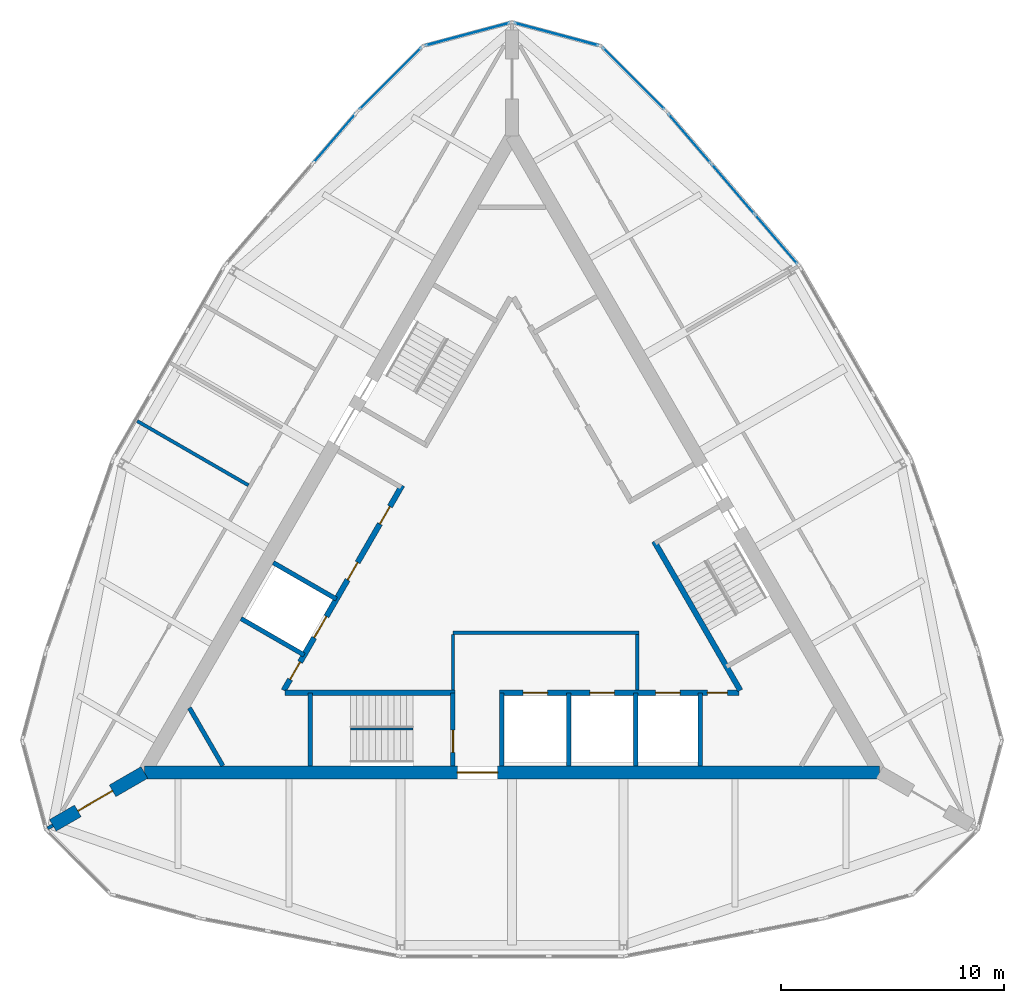
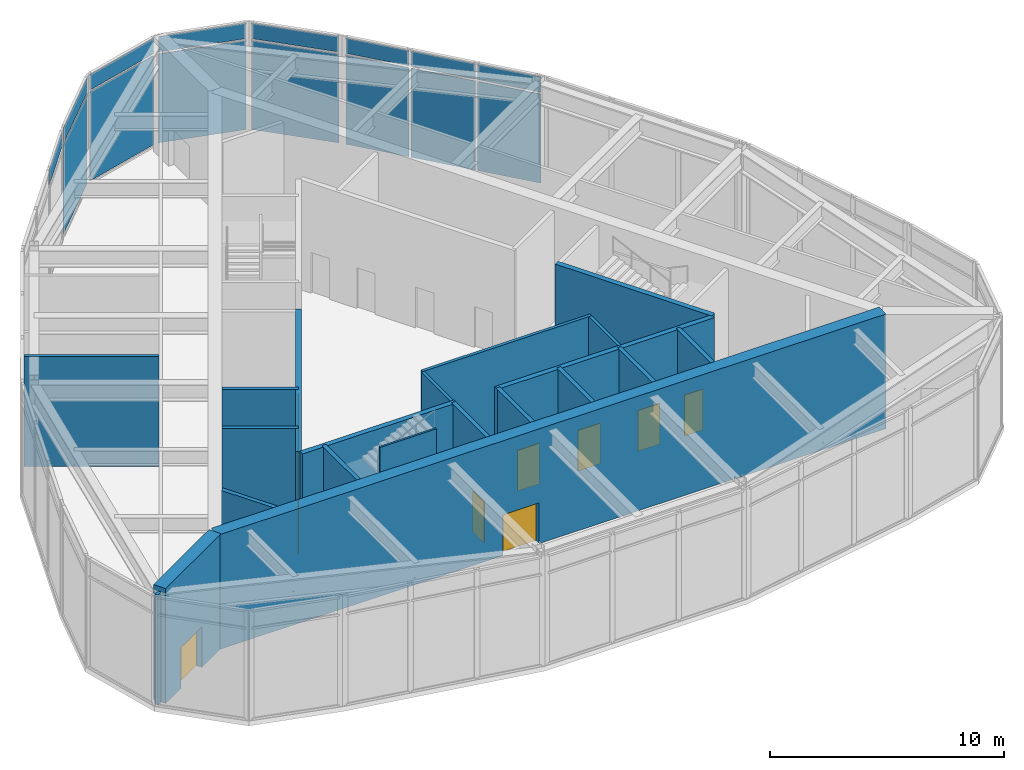
# One storey, part 6 of 9: 21 walls, 15 plates, 11 doors, 11 openings, 6 elements without a shape of their own.
"""IFC4 building model written with IfcOpenShell, lengths in metres."""

from ifc_helpers import new_model, si_unit, direction, frame, frame_2d, origin, origin_2d, place, context, subcontext, project, spatial, rectangle, extrude, material, layer, layer_set, type_object, element, fill, aggregate, save


model = new_model("IFC4")

# Units and contexts
model_context = context("Model", 3, precision=1e-05, world=origin(), true_north=direction((0.0, 1.0)))
body_context = subcontext(model_context, "Body", "Model", "MODEL_VIEW")
ifc_project = project(units=[si_unit("LENGTHUNIT", "METRE"), si_unit("AREAUNIT", "SQUARE_METRE"), si_unit("VOLUMEUNIT", "CUBIC_METRE"), si_unit("PLANEANGLEUNIT", "RADIAN"), si_unit("MASSUNIT", "GRAM", prefix="KILO")], contexts=[model_context])

# Site, building, storey
site_placement = place(None, origin())
site = spatial("IfcSite", under=ifc_project, at=site_placement, CompositionType="ELEMENT")
building_placement = place(site_placement, origin())
building = spatial("IfcBuilding", under=site, at=building_placement, Name="Trikona Tower", CompositionType="ELEMENT")
storey_placement = place(building_placement, frame((0.0, 0.0, 286.800048828125)))
storey = spatial("IfcBuildingStorey", under=building, at=storey_placement, Name="L75", CompositionType="ELEMENT", Elevation=286.800048828125)

# Curtain wall, plates
ifc_material_1 = material(Name="Aluminium curtain wall system", Category="aluminium")
curtain_wall_type = type_object("IfcCurtainWallType", Name="Curtain wall OB", PredefinedType="NOTDEFINED", material=ifc_material_1)
curtain_wall_1_placement = place(storey_placement, origin())
curtain_wall_1 = element("IfcCurtainWall", 1, at=curtain_wall_1_placement, inside=storey, type_object=curtain_wall_type, Name="Curtain wall OB L75", PredefinedType="NOTDEFINED")
ifc_material_2 = material(Name="Clear insulating glass unit", Category="glass")
ifc_layer_1 = layer(ifc_material_2, 0.028076171875)
ifc_layer_set_1 = layer_set([ifc_layer_1], Name="Glass panel OB")
plate_type = type_object("IfcPlateType", Name="Glass panel OB", PredefinedType="CURTAIN_PANEL", material=ifc_layer_set_1)
plate_1_placement = place(storey_placement, frame((11.865966796875, 14.408447265625, 0.10009765625), z_axis=(0.0, 0.0, 1.0), x_axis=(-0.652863914707, 0.757475219973, 0.0)))
plate_1 = element("IfcPlate", 2, at=plate_1_placement, type_object=plate_type, Name="CW-OB panel 1.1", PredefinedType="CURTAIN_PANEL", context=body_context, shape_type="SweptSolid", body=[
    extrude(rectangle(XDim=2.86376953125, YDim=0.028076171875, at=origin_2d()), origin(), (0.0, 0.0, 1.0), 4.64990234375),
])
plate_2_placement = place(storey_placement, frame((11.865966796875, 14.408447265625, 4.85009765625), z_axis=(0.0, 0.0, 1.0), x_axis=(-0.652863914707, 0.757475219973, 0.0)))
plate_2 = element("IfcPlate", 3, at=plate_2_placement, type_object=plate_type, Name="CW-OB panel 1.2", PredefinedType="CURTAIN_PANEL", context=body_context, shape_type="SweptSolid", body=[
    extrude(rectangle(XDim=2.86376953125, YDim=0.028076171875, at=origin_2d()), origin(), (0.0, 0.0, 1.0), 0.800048828125),
])
plate_3_placement = place(storey_placement, frame((9.914794921875, 16.67236328125, 0.10009765625), z_axis=(0.0, 0.0, 1.0), x_axis=(-0.652863914707, 0.757475219973, 0.0)))
plate_3 = element("IfcPlate", 4, at=plate_3_placement, type_object=plate_type, Name="CW-OB panel 2.1", PredefinedType="CURTAIN_PANEL", context=body_context, shape_type="SweptSolid", body=[
    extrude(rectangle(XDim=2.91357421875, YDim=0.028076171875, at=origin_2d()), origin(), (0.0, 0.0, 1.0), 4.64990234375),
])
plate_4_placement = place(storey_placement, frame((9.914794921875, 16.67236328125, 4.85009765625), z_axis=(0.0, 0.0, 1.0), x_axis=(-0.652863914707, 0.757475219973, 0.0)))
plate_4 = element("IfcPlate", 5, at=plate_4_placement, type_object=plate_type, Name="CW-OB panel 2.2", PredefinedType="CURTAIN_PANEL", context=body_context, shape_type="SweptSolid", body=[
    extrude(rectangle(XDim=2.91357421875, YDim=0.028076171875, at=origin_2d()), origin(), (0.0, 0.0, 1.0), 0.800048828125),
])
plate_5_placement = place(storey_placement, frame((7.96337890625, 18.936279296875, 0.10009765625), z_axis=(0.0, 0.0, 1.0), x_axis=(-0.652863914707, 0.757475219973, 0.0)))
plate_5 = element("IfcPlate", 6, at=plate_5_placement, type_object=plate_type, Name="CW-OB panel 3.1", PredefinedType="CURTAIN_PANEL", context=body_context, shape_type="SweptSolid", body=[
    extrude(rectangle(XDim=2.86376953125, YDim=0.028076171875, at=origin_2d()), origin(), (0.0, 0.0, 1.0), 4.64990234375),
])
plate_6_placement = place(storey_placement, frame((7.96337890625, 18.936279296875, 4.85009765625), z_axis=(0.0, 0.0, 1.0), x_axis=(-0.652863914707, 0.757475219973, 0.0)))
plate_6 = element("IfcPlate", 7, at=plate_6_placement, type_object=plate_type, Name="CW-OB panel 3.2", PredefinedType="CURTAIN_PANEL", context=body_context, shape_type="SweptSolid", body=[
    extrude(rectangle(XDim=2.86376953125, YDim=0.028076171875, at=origin_2d()), origin(), (0.0, 0.0, 1.0), 0.800048828125),
])
aggregate(curtain_wall_1, [plate_1, plate_2, plate_3, plate_4, plate_5, plate_6])

curtain_wall_2_placement = place(storey_placement, origin())
curtain_wall_2 = element("IfcCurtainWall", 8, at=curtain_wall_2_placement, inside=storey, type_object=curtain_wall_type, Name="Curtain wall OB L75", PredefinedType="NOTDEFINED")
plate_7_placement = place(storey_placement, frame((5.449951171875, 21.615966796875, 0.10009765625), z_axis=(0.0, 0.0, 1.0), x_axis=(-0.707106781187, 0.707106781187, 0.0)))
plate_7 = element("IfcPlate", 9, at=plate_7_placement, type_object=plate_type, Name="CW-OB panel 1.1", PredefinedType="CURTAIN_PANEL", context=body_context, shape_type="SweptSolid", body=[
    extrude(rectangle(XDim=3.864013671875, YDim=0.028076171875, at=origin_2d()), origin(), (0.0, 0.0, 1.0), 4.64990234375),
])
plate_8_placement = place(storey_placement, frame((5.449951171875, 21.615966796875, 4.85009765625), z_axis=(0.0, 0.0, 1.0), x_axis=(-0.707106781187, 0.707106781187, 0.0)))
plate_8 = element("IfcPlate", 10, at=plate_8_placement, type_object=plate_type, Name="CW-OB panel 1.2", PredefinedType="CURTAIN_PANEL", context=body_context, shape_type="SweptSolid", body=[
    extrude(rectangle(XDim=3.864013671875, YDim=0.028076171875, at=origin_2d()), origin(), (0.0, 0.0, 1.0), 0.800048828125),
])
aggregate(curtain_wall_2, [plate_7, plate_8])

curtain_wall_3_placement = place(storey_placement, origin())
curtain_wall_3 = element("IfcCurtainWall", 11, at=curtain_wall_3_placement, inside=storey, type_object=curtain_wall_type, Name="Curtain wall OB L75", PredefinedType="NOTDEFINED")
plate_9_placement = place(storey_placement, frame((1.994873046875, 23.610595703125, 0.10009765625), z_axis=(0.0, 0.0, 1.0), x_axis=(-0.965923448705, 0.258827918204, 0.0)))
plate_9 = element("IfcPlate", 12, at=plate_9_placement, type_object=plate_type, Name="CW-OB panel 1.1", PredefinedType="CURTAIN_PANEL", context=body_context, shape_type="SweptSolid", body=[
    extrude(rectangle(XDim=3.864013671875, YDim=0.028076171875, at=origin_2d()), origin(), (0.0, 0.0, 1.0), 4.64990234375),
])
plate_10_placement = place(storey_placement, frame((1.994873046875, 23.610595703125, 4.85009765625), z_axis=(0.0, 0.0, 1.0), x_axis=(-0.965923448705, 0.258827918204, 0.0)))
plate_10 = element("IfcPlate", 13, at=plate_10_placement, type_object=plate_type, Name="CW-OB panel 1.2", PredefinedType="CURTAIN_PANEL", context=body_context, shape_type="SweptSolid", body=[
    extrude(rectangle(XDim=3.864013671875, YDim=0.028076171875, at=origin_2d()), origin(), (0.0, 0.0, 1.0), 0.800048828125),
])
aggregate(curtain_wall_3, [plate_9, plate_10])

curtain_wall_4_placement = place(storey_placement, origin())
curtain_wall_4 = element("IfcCurtainWall", 14, at=curtain_wall_4_placement, inside=storey, type_object=curtain_wall_type, Name="Curtain wall OB L75", PredefinedType="NOTDEFINED")
plate_11_placement = place(storey_placement, frame((-1.994873046875, 23.610595703125, 0.10009765625), z_axis=(0.0, 0.0, 1.0), x_axis=(-0.965923448705, -0.258827918204, 0.0)))
plate_11 = element("IfcPlate", 15, at=plate_11_placement, type_object=plate_type, Name="CW-OB panel 1.1", PredefinedType="CURTAIN_PANEL", context=body_context, shape_type="SweptSolid", body=[
    extrude(rectangle(XDim=3.864013671875, YDim=0.028076171875, at=origin_2d()), origin(), (0.0, 0.0, 1.0), 4.64990234375),
])
plate_12_placement = place(storey_placement, frame((-1.994873046875, 23.610595703125, 4.85009765625), z_axis=(0.0, 0.0, 1.0), x_axis=(-0.965923448705, -0.258827918204, 0.0)))
plate_12 = element("IfcPlate", 16, at=plate_12_placement, type_object=plate_type, Name="CW-OB panel 1.2", PredefinedType="CURTAIN_PANEL", context=body_context, shape_type="SweptSolid", body=[
    extrude(rectangle(XDim=3.864013671875, YDim=0.028076171875, at=origin_2d()), origin(), (0.0, 0.0, 1.0), 0.800048828125),
])
aggregate(curtain_wall_4, [plate_11, plate_12])

curtain_wall_5_placement = place(storey_placement, origin())
curtain_wall_5 = element("IfcCurtainWall", 17, at=curtain_wall_5_placement, inside=storey, type_object=curtain_wall_type, Name="Curtain wall OB L75", PredefinedType="NOTDEFINED")
plate_13_placement = place(storey_placement, frame((-5.449951171875, 21.615966796875, 0.10009765625), z_axis=(0.0, 0.0, 1.0), x_axis=(-0.707106781187, -0.707106781187, 0.0)))
plate_13 = element("IfcPlate", 18, at=plate_13_placement, type_object=plate_type, Name="CW-OB panel 1.1", PredefinedType="CURTAIN_PANEL", context=body_context, shape_type="SweptSolid", body=[
    extrude(rectangle(XDim=3.864013671875, YDim=0.028076171875, at=origin_2d()), origin(), (0.0, 0.0, 1.0), 4.64990234375),
])
plate_14_placement = place(storey_placement, frame((-5.449951171875, 21.615966796875, 4.85009765625), z_axis=(0.0, 0.0, 1.0), x_axis=(-0.707106781187, -0.707106781187, 0.0)))
plate_14 = element("IfcPlate", 19, at=plate_14_placement, type_object=plate_type, Name="CW-OB panel 1.2", PredefinedType="CURTAIN_PANEL", context=body_context, shape_type="SweptSolid", body=[
    extrude(rectangle(XDim=3.864013671875, YDim=0.028076171875, at=origin_2d()), origin(), (0.0, 0.0, 1.0), 0.800048828125),
])
aggregate(curtain_wall_5, [plate_13, plate_14])

# Curtain wall, plate
curtain_wall_6_placement = place(storey_placement, origin())
curtain_wall_6 = element("IfcCurtainWall", 20, at=curtain_wall_6_placement, inside=storey, type_object=curtain_wall_type, Name="Curtain wall OB L75", PredefinedType="NOTDEFINED")
plate_15_placement = place(storey_placement, frame((-7.96337890625, 18.936279296875, 4.85009765625), z_axis=(0.0, 0.0, 1.0), x_axis=(-0.652863914707, -0.757475219973, 0.0)))
plate_15 = element("IfcPlate", 21, at=plate_15_placement, type_object=plate_type, Name="CW-OB panel 1.2", PredefinedType="CURTAIN_PANEL", context=body_context, shape_type="SweptSolid", body=[
    extrude(rectangle(XDim=2.86376953125, YDim=0.028076171875, at=origin_2d()), origin(), (0.0, 0.0, 1.0), 0.800048828125),
])
aggregate(curtain_wall_6, [plate_15])

# Wall, opening, door
ifc_material_3 = material(Name="Concrete f'c 10000 psi", Category="concrete")
ifc_layer_2 = layer(ifc_material_3, 0.60009765625)
ifc_layer_set_2 = layer_set([ifc_layer_2], Name="Buttress wall 600")
wall_type_1 = type_object("IfcWallType", Name="Buttress wall 600", PredefinedType="SHEAR", material=ifc_layer_set_2)
wall_1_placement = place(storey_placement, frame((-16.5, -9.5263671875, 0.0), z_axis=(0.0, 0.0, 1.0), x_axis=(-0.866031398331, -0.499989616998, 0.0)))
wall_1 = element("IfcWall", 22, at=wall_1_placement, inside=storey, type_object=wall_type_1, Name="Buttress wall 3", PredefinedType="SHEAR", context=body_context, shape_type="SweptSolid", body=[
    extrude(rectangle(XDim=4.74609375, YDim=0.60009765625, at=frame_2d((2.373046875, 0.0))), origin(), (0.0, 0.0, 1.0), 6.0),
])
opening_1_placement = place(wall_1_placement, frame((1.64990234375, 0.0, 0.0)))
opening_1 = element("IfcOpeningElement", 23, at=opening_1_placement, cuts=wall_1, Name="Opening D10", PredefinedType="OPENING", context=body_context, shape_type="SweptSolid", body=[
    extrude(rectangle(XDim=1.800048828125, YDim=2.1298828125, at=frame_2d((0.89990234375, 1.06494140625))), frame((0.0, 0.31005859375, 0.0), z_axis=(0.0, -1.0, 0.0), x_axis=(1.0, 0.0, 0.0)), (0.0, 0.0, 1.0), 0.6201171875),
])
ifc_material_4 = material(Name="Hollow metal door and frame", Category="steel")
door_type_1 = type_object("IfcDoorType", Name="Cross-corridor door pair 1800x2130", OperationType="DOUBLE_DOOR_DOUBLE_SWING", PredefinedType="DOOR", material=ifc_material_4)
door_1_placement = place(opening_1_placement, origin())
door_1 = element("IfcDoor", 24, at=door_1_placement, inside=storey, type_object=door_type_1, Name="Cross-corridor door 3", OperationType="DOUBLE_DOOR_DOUBLE_SWING", OverallHeight=2.1298828125, OverallWidth=1.800048828125, PredefinedType="DOOR", context=body_context, shape_type="SweptSolid", body=[
    extrude(rectangle(XDim=1.800048828125, YDim=2.1298828125, at=frame_2d((0.89990234375, 1.06494140625))), frame((0.0, 0.02490234375, 0.0), z_axis=(0.0, -1.0, 0.0), x_axis=(1.0, 0.0, 0.0)), (0.0, 0.0, 1.0), 0.050048828125),
])
fill(opening_1, door_1)

ifc_material_5 = material(Name="Concrete f'c 10000 psi", Category="concrete")
ifc_layer_3 = layer(ifc_material_5, 0.60009765625)
ifc_layer_set_3 = layer_set([ifc_layer_3], Name="Core wall 600")
wall_type_2 = type_object("IfcWallType", Name="Core wall 600", PredefinedType="SHEAR", material=ifc_layer_set_3)
wall_2_placement = place(storey_placement, frame((-16.5, -9.5263671875, 0.0), z_axis=(0.0, 0.0, 1.0), x_axis=(1.0, 0.0, 0.0)))
wall_2 = element("IfcWall", 25, at=wall_2_placement, inside=storey, type_object=wall_type_2, Name="Core wall A", PredefinedType="SHEAR", context=body_context, shape_type="SweptSolid", body=[
    extrude(rectangle(XDim=33.0, YDim=0.60009765625, at=frame_2d((16.5, 0.0))), origin(), (0.0, 0.0, 1.0), 6.0),
])
opening_2_placement = place(wall_2_placement, frame((14.050048828125, 0.0, 0.0)))
opening_2 = element("IfcOpeningElement", 26, at=opening_2_placement, cuts=wall_2, Name="Opening D6", PredefinedType="OPENING", context=body_context, shape_type="SweptSolid", body=[
    extrude(rectangle(XDim=1.800048828125, YDim=2.1298828125, at=frame_2d((0.89990234375, 1.06494140625))), frame((0.0, 0.31005859375, 0.0), z_axis=(0.0, -1.0, 0.0), x_axis=(1.0, 0.0, 0.0)), (0.0, 0.0, 1.0), 0.6201171875),
])
ifc_material_6 = material(Name="Hollow metal door and frame", Category="steel")
door_type_2 = type_object("IfcDoorType", Name="Lobby door pair 1800x2130", OperationType="DOUBLE_DOOR_SINGLE_SWING", PredefinedType="DOOR", material=ifc_material_6)
door_2_placement = place(opening_2_placement, origin())
door_2 = element("IfcDoor", 27, at=door_2_placement, inside=storey, type_object=door_type_2, Name="Fire service lift lobby door", OperationType="DOUBLE_DOOR_SINGLE_SWING", OverallHeight=2.1298828125, OverallWidth=1.800048828125, PredefinedType="DOOR", context=body_context, shape_type="SweptSolid", body=[
    extrude(rectangle(XDim=1.800048828125, YDim=2.1298828125, at=frame_2d((0.89990234375, 1.06494140625))), frame((0.0, 0.02490234375, 0.0), z_axis=(0.0, -1.0, 0.0), x_axis=(1.0, 0.0, 0.0)), (0.0, 0.0, 1.0), 0.050048828125),
])
fill(opening_2, door_2)

# Wall
ifc_material_7 = material(Name="Concrete f'c 8000 psi", Category="concrete")
ifc_layer_4 = layer(ifc_material_7, 0.25)
ifc_layer_set_4 = layer_set([ifc_layer_4], Name="Hub wall 250")
wall_type_3 = type_object("IfcWallType", Name="Hub wall 250", PredefinedType="SOLIDWALL", material=ifc_layer_set_4)
wall_3_placement = place(storey_placement, frame((-10.182861328125, -5.951416015625, 0.0), z_axis=(0.0, 0.0, 1.0), x_axis=(1.0, 0.0, 0.0)))
element("IfcWall", 28, at=wall_3_placement, inside=storey, type_object=wall_type_3, Name="Lift lobby wall A1", PredefinedType="SOLIDWALL", context=body_context, shape_type="SweptSolid", body=[
    extrude(rectangle(XDim=7.6328125, YDim=0.25, at=frame_2d((3.81640625, 0.0))), origin(), (0.0, 0.0, 1.0), 5.75),
])

# Wall, openings, doors
wall_4_placement = place(storey_placement, frame((-0.550048828125, -5.951416015625, 0.0), z_axis=(0.0, 0.0, 1.0), x_axis=(1.0, 0.0, 0.0)))
wall_4 = element("IfcWall", 29, at=wall_4_placement, inside=storey, type_object=wall_type_3, Name="Lift lobby wall A2", PredefinedType="SOLIDWALL", context=body_context, shape_type="SweptSolid", body=[
    extrude(rectangle(XDim=10.73291015625, YDim=0.25, at=frame_2d((5.366455078125, 0.0))), origin(), (0.0, 0.0, 1.0), 5.75),
])
opening_3_placement = place(wall_4_placement, frame((9.31396484375, 0.0, 0.0)))
opening_3 = element("IfcOpeningElement", 30, at=opening_3_placement, cuts=wall_4, Name="Opening D14", PredefinedType="OPENING", context=body_context, shape_type="SweptSolid", body=[
    extrude(rectangle(XDim=0.89990234375, YDim=2.1298828125, at=frame_2d((0.449951171875, 1.06494140625))), frame((0.0, 0.135009765625, 0.0), z_axis=(0.0, -1.0, 0.0), x_axis=(1.0, 0.0, 0.0)), (0.0, 0.0, 1.0), 0.27001953125),
])
opening_4_placement = place(wall_4_placement, frame((1.050048828125, 0.0, 0.0)))
opening_4 = element("IfcOpeningElement", 31, at=opening_4_placement, cuts=wall_4, Name="Opening LD", PredefinedType="OPENING", context=body_context, shape_type="SweptSolid", body=[
    extrude(rectangle(XDim=1.10009765625, YDim=2.1298828125, at=frame_2d((0.550048828125, 1.06494140625))), frame((0.0, 0.135009765625, 0.0), z_axis=(0.0, -1.0, 0.0), x_axis=(1.0, 0.0, 0.0)), (0.0, 0.0, 1.0), 0.27001953125),
])
opening_5_placement = place(wall_4_placement, frame((4.050048828125, 0.0, 0.0)))
opening_5 = element("IfcOpeningElement", 32, at=opening_5_placement, cuts=wall_4, Name="Opening LD", PredefinedType="OPENING", context=body_context, shape_type="SweptSolid", body=[
    extrude(rectangle(XDim=1.10009765625, YDim=2.1298828125, at=frame_2d((0.550048828125, 1.06494140625))), frame((0.0, 0.135009765625, 0.0), z_axis=(0.0, -1.0, 0.0), x_axis=(1.0, 0.0, 0.0)), (0.0, 0.0, 1.0), 0.27001953125),
])
opening_6_placement = place(wall_4_placement, frame((7.0, 0.0, 0.0)))
opening_6 = element("IfcOpeningElement", 33, at=opening_6_placement, cuts=wall_4, Name="Opening LD", PredefinedType="OPENING", context=body_context, shape_type="SweptSolid", body=[
    extrude(rectangle(XDim=1.10009765625, YDim=2.1298828125, at=frame_2d((0.550048828125, 1.06494140625))), frame((0.0, 0.135009765625, 0.0), z_axis=(0.0, -1.0, 0.0), x_axis=(1.0, 0.0, 0.0)), (0.0, 0.0, 1.0), 0.27001953125),
])
ifc_material_8 = material(Name="Stainless steel lift landing door", Category="steel")
door_type_3 = type_object("IfcDoorType", Name="Lift landing door 1100x2130", OperationType="DOUBLE_DOOR_SLIDING", PredefinedType="USERDEFINED", material=ifc_material_8)
door_3_placement = place(opening_4_placement, origin())
door_3 = element("IfcDoor", 34, at=door_3_placement, inside=storey, type_object=door_type_3, Name="Lift landing door FF1", ObjectType="LIFT LANDING DOOR", OperationType="DOUBLE_DOOR_SLIDING", OverallHeight=2.1298828125, OverallWidth=1.10009765625, PredefinedType="USERDEFINED", context=body_context, shape_type="SweptSolid", body=[
    extrude(rectangle(XDim=1.10009765625, YDim=2.1298828125, at=frame_2d((0.550048828125, 1.06494140625))), frame((0.0, 0.02490234375, 0.0), z_axis=(0.0, -1.0, 0.0), x_axis=(1.0, 0.0, 0.0)), (0.0, 0.0, 1.0), 0.050048828125),
])
fill(opening_4, door_3)
door_4_placement = place(opening_5_placement, origin())
door_4 = element("IfcDoor", 35, at=door_4_placement, inside=storey, type_object=door_type_3, Name="Lift landing door FF2", ObjectType="LIFT LANDING DOOR", OperationType="DOUBLE_DOOR_SLIDING", OverallHeight=2.1298828125, OverallWidth=1.10009765625, PredefinedType="USERDEFINED", context=body_context, shape_type="SweptSolid", body=[
    extrude(rectangle(XDim=1.10009765625, YDim=2.1298828125, at=frame_2d((0.550048828125, 1.06494140625))), frame((0.0, 0.02490234375, 0.0), z_axis=(0.0, -1.0, 0.0), x_axis=(1.0, 0.0, 0.0)), (0.0, 0.0, 1.0), 0.050048828125),
])
fill(opening_5, door_4)
door_5_placement = place(opening_6_placement, origin())
door_5 = element("IfcDoor", 36, at=door_5_placement, inside=storey, type_object=door_type_3, Name="Lift landing door OB1", ObjectType="LIFT LANDING DOOR", OperationType="DOUBLE_DOOR_SLIDING", OverallHeight=2.1298828125, OverallWidth=1.10009765625, PredefinedType="USERDEFINED", context=body_context, shape_type="SweptSolid", body=[
    extrude(rectangle(XDim=1.10009765625, YDim=2.1298828125, at=frame_2d((0.550048828125, 1.06494140625))), frame((0.0, 0.02490234375, 0.0), z_axis=(0.0, -1.0, 0.0), x_axis=(1.0, 0.0, 0.0)), (0.0, 0.0, 1.0), 0.050048828125),
])
fill(opening_6, door_5)
ifc_material_9 = material(Name="Hollow metal door and frame", Category="steel")
door_type_4 = type_object("IfcDoorType", Name="Service room door 900x2130", OperationType="SINGLE_SWING_LEFT", PredefinedType="DOOR", material=ifc_material_9)
door_6_placement = place(opening_3_placement, origin())
door_6 = element("IfcDoor", 37, at=door_6_placement, inside=storey, type_object=door_type_4, Name="Door Cleaner's store CLN", OperationType="SINGLE_SWING_RIGHT", OverallHeight=2.1298828125, OverallWidth=0.89990234375, PredefinedType="DOOR", context=body_context, shape_type="SweptSolid", body=[
    extrude(rectangle(XDim=0.89990234375, YDim=2.1298828125, at=frame_2d((0.449951171875, 1.06494140625))), frame((0.0, 0.02490234375, 0.0), z_axis=(0.0, -1.0, 0.0), x_axis=(1.0, 0.0, 0.0)), (0.0, 0.0, 1.0), 0.050048828125),
])
fill(opening_3, door_6)

# Wall
wall_5_placement = place(storey_placement, frame((10.245361328125, -5.843017578125, 0.0), z_axis=(0.0, 0.0, 1.0), x_axis=(-0.499993009313, 0.866029439822, 0.0)))
element("IfcWall", 38, at=wall_5_placement, inside=storey, type_object=wall_type_3, Name="Lift lobby wall B1", PredefinedType="SOLIDWALL", context=body_context, shape_type="SweptSolid", body=[
    extrude(rectangle(XDim=7.73291015625, YDim=0.25, at=frame_2d((3.866455078125, 0.0))), origin(), (0.0, 0.0, 1.0), 5.75),
])

# Wall, openings, doors
wall_6_placement = place(storey_placement, frame((-4.928955078125, 3.365478515625, 0.0), z_axis=(0.0, 0.0, 1.0), x_axis=(-0.499991433582, -0.866030349552, 0.0)))
wall_6 = element("IfcWall", 39, at=wall_6_placement, inside=storey, type_object=wall_type_3, Name="Lift lobby wall C2", PredefinedType="SOLIDWALL", context=body_context, shape_type="SweptSolid", body=[
    extrude(rectangle(XDim=10.633056640625, YDim=0.25, at=frame_2d((5.31640625, 0.0))), origin(), (0.0, 0.0, 1.0), 5.75),
])
opening_7_placement = place(wall_6_placement, frame((9.1640625, 0.0, 0.0)))
opening_7 = element("IfcOpeningElement", 40, at=opening_7_placement, cuts=wall_6, Name="Opening D14", PredefinedType="OPENING", context=body_context, shape_type="SweptSolid", body=[
    extrude(rectangle(XDim=0.89990234375, YDim=2.1298828125, at=frame_2d((0.449951171875, 1.06494140625))), frame((0.0, 0.135009765625, 0.0), z_axis=(0.0, -1.0, 0.0), x_axis=(1.0, 0.0, 0.0)), (0.0, 0.0, 1.0), 0.27001953125),
])
opening_8_placement = place(wall_6_placement, frame((1.10009765625, 0.0, 0.0)))
opening_8 = element("IfcOpeningElement", 41, at=opening_8_placement, cuts=wall_6, Name="Opening D14", PredefinedType="OPENING", context=body_context, shape_type="SweptSolid", body=[
    extrude(rectangle(XDim=0.89990234375, YDim=2.1298828125, at=frame_2d((0.449951171875, 1.06494140625))), frame((0.0, 0.135009765625, 0.0), z_axis=(0.0, -1.0, 0.0), x_axis=(1.0, 0.0, 0.0)), (0.0, 0.0, 1.0), 0.27001953125),
])
opening_9_placement = place(wall_6_placement, frame((4.0, 0.0, 0.0)))
opening_9 = element("IfcOpeningElement", 42, at=opening_9_placement, cuts=wall_6, Name="Opening D14", PredefinedType="OPENING", context=body_context, shape_type="SweptSolid", body=[
    extrude(rectangle(XDim=0.89990234375, YDim=2.1298828125, at=frame_2d((0.449951171875, 1.06494140625))), frame((0.0, 0.135009765625, 0.0), z_axis=(0.0, -1.0, 0.0), x_axis=(1.0, 0.0, 0.0)), (0.0, 0.0, 1.0), 0.27001953125),
])
opening_10_placement = place(wall_6_placement, frame((6.800048828125, 0.0, 0.0)))
opening_10 = element("IfcOpeningElement", 43, at=opening_10_placement, cuts=wall_6, Name="Opening LD", PredefinedType="OPENING", context=body_context, shape_type="SweptSolid", body=[
    extrude(rectangle(XDim=1.10009765625, YDim=2.1298828125, at=frame_2d((0.550048828125, 1.06494140625))), frame((0.0, 0.135009765625, 0.0), z_axis=(0.0, -1.0, 0.0), x_axis=(1.0, 0.0, 0.0)), (0.0, 0.0, 1.0), 0.27001953125),
])
door_7_placement = place(opening_10_placement, origin())
door_7 = element("IfcDoor", 44, at=door_7_placement, inside=storey, type_object=door_type_3, Name="Lift landing door OB2", ObjectType="LIFT LANDING DOOR", OperationType="DOUBLE_DOOR_SLIDING", OverallHeight=2.1298828125, OverallWidth=1.10009765625, PredefinedType="USERDEFINED", context=body_context, shape_type="SweptSolid", body=[
    extrude(rectangle(XDim=1.10009765625, YDim=2.1298828125, at=frame_2d((0.550048828125, 1.06494140625))), frame((0.0, 0.02490234375, 0.0), z_axis=(0.0, -1.0, 0.0), x_axis=(1.0, 0.0, 0.0)), (0.0, 0.0, 1.0), 0.050048828125),
])
fill(opening_10, door_7)
door_8_placement = place(opening_7_placement, origin())
door_8 = element("IfcDoor", 45, at=door_8_placement, inside=storey, type_object=door_type_4, Name="Door Store STR", OperationType="SINGLE_SWING_RIGHT", OverallHeight=2.1298828125, OverallWidth=0.89990234375, PredefinedType="DOOR", context=body_context, shape_type="SweptSolid", body=[
    extrude(rectangle(XDim=0.89990234375, YDim=2.1298828125, at=frame_2d((0.449951171875, 1.06494140625))), frame((0.0, 0.02490234375, 0.0), z_axis=(0.0, -1.0, 0.0), x_axis=(1.0, 0.0, 0.0)), (0.0, 0.0, 1.0), 0.050048828125),
])
fill(opening_7, door_8)
door_9_placement = place(opening_8_placement, origin())
door_9 = element("IfcDoor", 46, at=door_9_placement, inside=storey, type_object=door_type_4, Name="Door Gift shop store GSS4", OperationType="SINGLE_SWING_LEFT", OverallHeight=2.1298828125, OverallWidth=0.89990234375, PredefinedType="DOOR", context=body_context, shape_type="SweptSolid", body=[
    extrude(rectangle(XDim=0.89990234375, YDim=2.1298828125, at=frame_2d((0.449951171875, 1.06494140625))), frame((0.0, 0.02490234375, 0.0), z_axis=(0.0, -1.0, 0.0), x_axis=(1.0, 0.0, 0.0)), (0.0, 0.0, 1.0), 0.050048828125),
])
fill(opening_8, door_9)
door_10_placement = place(opening_9_placement, origin())
door_10 = element("IfcDoor", 47, at=door_10_placement, inside=storey, type_object=door_type_4, Name="Door Gift shop store GSS4", OperationType="SINGLE_SWING_RIGHT", OverallHeight=2.1298828125, OverallWidth=0.89990234375, PredefinedType="DOOR", context=body_context, shape_type="SweptSolid", body=[
    extrude(rectangle(XDim=0.89990234375, YDim=2.1298828125, at=frame_2d((0.449951171875, 1.06494140625))), frame((0.0, 0.02490234375, 0.0), z_axis=(0.0, -1.0, 0.0), x_axis=(1.0, 0.0, 0.0)), (0.0, 0.0, 1.0), 0.050048828125),
])
fill(opening_9, door_10)

# Walls
ifc_material_10 = material(Name="Metal stud and gypsum board, 2-hour shaft wall", Category="gypsum")
ifc_layer_5 = layer(ifc_material_10, 0.14990234375)
ifc_layer_set_5 = layer_set([ifc_layer_5], Name="Lobby wall 150")
wall_type_4 = type_object("IfcWallType", Name="Lobby wall 150", PredefinedType="PARTITIONING", material=ifc_layer_set_5)
wall_7_placement = place(storey_placement, frame((-2.64990234375, -3.251220703125, 0.0), z_axis=(0.0, 0.0, 1.0), x_axis=(1.0, 0.0, 0.0)))
element("IfcWall", 48, at=wall_7_placement, inside=storey, type_object=wall_type_4, Name="Fire service lift lobby wall 1", PredefinedType="PARTITIONING", context=body_context, shape_type="SweptSolid", body=[
    extrude(rectangle(XDim=8.349853515625, YDim=0.14990234375, at=frame_2d((4.1748046875, 0.0))), origin(), (0.0, 0.0, 1.0), 5.75),
])
for number, where, z_axis, x_axis, name in (
    (49, (-2.64990234375, -5.826416015625, 0.0), (0.0, 0.0, 1.0), (0.0, 1.0, 0.0), "Fire service lift lobby wall 2"),
    (50, (5.625, -5.826416015625, 0.0), (0.0, 0.0, 1.0), (0.0, 1.0, 0.0), "Fire service lift lobby wall 3"),
):
    element("IfcWall", number, at=place(storey_placement, frame(where, z_axis=z_axis, x_axis=x_axis)), inside=storey, type_object=wall_type_4, Name=name, PredefinedType="PARTITIONING", context=body_context, shape_type="SweptSolid", body=[
        extrude(rectangle(XDim=2.5, YDim=0.14990234375, at=frame_2d((1.25, 0.0))), origin(), (0.0, 0.0, 1.0), 5.75),
    ])
ifc_material_11 = material(Name="Metal stud and gypsum board, 1-hour acoustic", Category="gypsum")
ifc_layer_6 = layer(ifc_material_11, 0.14990234375)
ifc_layer_set_6 = layer_set([ifc_layer_6], Name="Party wall 150")
wall_type_5 = type_object("IfcWallType", Name="Party wall 150", PredefinedType="PARTITIONING", material=ifc_layer_set_6)
wall_8_placement = place(storey_placement, frame((-11.82861328125, 3.364990234375, 0.0), z_axis=(0.0, 0.0, 1.0), x_axis=(-0.866015751745, 0.50001671745, 0.0)))
element("IfcWall", 51, at=wall_8_placement, inside=storey, type_object=wall_type_5, Name="Partition L75 F3 u3", PredefinedType="PARTITIONING", context=body_context, shape_type="SweptSolid", body=[
    extrude(rectangle(XDim=5.769287109375, YDim=0.14990234375, at=frame_2d((2.884765625, 0.0))), origin(), (0.0, 0.0, 1.0), 5.75),
])
wall_9_placement = place(storey_placement, frame((-20.6103515625, -11.8994140625, 0.0), z_axis=(0.0, 0.0, 1.0), x_axis=(-0.866065156741, -0.499931139538, 0.0)))
element("IfcWall", 52, at=wall_9_placement, inside=storey, type_object=wall_type_5, Name="Partition L75 Buttress wall 3 closure", PredefinedType="PARTITIONING", context=body_context, shape_type="SweptSolid", body=[
    extrude(rectangle(XDim=0.27001953125, YDim=0.14990234375, at=frame_2d((0.135009765625, 0.0))), origin(), (0.0, 0.0, 1.0), 5.75),
])
ifc_material_12 = material(Name="Concrete f'c 8000 psi", Category="concrete")
ifc_layer_7 = layer(ifc_material_12, 0.199951171875)
ifc_layer_set_7 = layer_set([ifc_layer_7], Name="Shaft wall 200")
wall_type_6 = type_object("IfcWallType", Name="Shaft wall 200", PredefinedType="SOLIDWALL", material=ifc_layer_set_7)
for number, where, z_axis, x_axis, name in (
    (53, (-0.449951171875, -5.951416015625, 0.0), (0.0, 0.0, 1.0), (0.0, -1.0, 0.0), "Shaft wall A3"),
    (54, (2.550048828125, -5.951416015625, 0.0), (0.0, 0.0, 1.0), (0.0, -1.0, 0.0), "Shaft wall A4"),
    (55, (5.550048828125, -5.951416015625, 0.0), (0.0, 0.0, 1.0), (0.0, -1.0, 0.0), "Shaft wall A5"),
    (56, (8.449951171875, -5.951416015625, 0.0), (0.0, 0.0, 1.0), (0.0, -1.0, 0.0), "Shaft wall A6"),
    (57, (-7.87890625, -1.744140625, 0.0), (0.0, 0.0, 1.0), (-0.866027924134, 0.499995634601, 0.0), "Shaft wall C5"),
    (58, (-9.3291015625, -4.255615234375, 0.0), (0.0, 0.0, 1.0), (-0.866027924134, 0.499995634601, 0.0), "Shaft wall C6"),
):
    element("IfcWall", number, at=place(storey_placement, frame(where, z_axis=z_axis, x_axis=x_axis)), inside=storey, type_object=wall_type_6, Name=name, PredefinedType="SOLIDWALL", context=body_context, shape_type="SweptSolid", body=[
        extrude(rectangle(XDim=3.27490234375, YDim=0.199951171875, at=frame_2d((1.637451171875, 0.0))), origin(), (0.0, 0.0, 1.0), 5.75),
    ])
wall_10_placement = place(storey_placement, frame((-12.978271484375, -9.226318359375, 0.0), z_axis=(0.0, 0.0, 1.0), x_axis=(-0.499952404951, 0.866052881055, 0.0)))
element("IfcWall", 59, at=wall_10_placement, inside=storey, type_object=wall_type_6, Name="Riser wall L75-RS3", PredefinedType="SOLIDWALL", context=body_context, shape_type="SweptSolid", body=[
    extrude(rectangle(XDim=3.002197265625, YDim=0.199951171875, at=frame_2d((1.5009765625, 0.0))), origin(), (0.0, 0.0, 1.0), 5.75),
])
ifc_material_13 = material(Name="Concrete f'c 8000 psi", Category="concrete")
ifc_layer_8 = layer(ifc_material_13, 0.199951171875)
ifc_layer_set_8 = layer_set([ifc_layer_8], Name="Shaft wall 200 load-bearing")
wall_type_7 = type_object("IfcWallType", Name="Shaft wall 200 load-bearing", PredefinedType="SOLIDWALL", material=ifc_layer_set_8)
wall_11_placement = place(storey_placement, frame((-9.050048828125, -5.951416015625, 0.0), z_axis=(0.0, 0.0, 1.0), x_axis=(0.0, -1.0, 0.0)))
element("IfcWall", 60, at=wall_11_placement, inside=storey, type_object=wall_type_7, Name="Shaft wall A1", PredefinedType="SOLIDWALL", context=body_context, shape_type="SweptSolid", body=[
    extrude(rectangle(XDim=3.27490234375, YDim=0.199951171875, at=frame_2d((1.637451171875, 0.0))), origin(), (0.0, 0.0, 1.0), 5.75),
])

# Wall, opening, door
wall_12_placement = place(storey_placement, frame((-2.64990234375, -5.951416015625, 0.0), z_axis=(0.0, 0.0, 1.0), x_axis=(0.0, -1.0, 0.0)))
wall_12 = element("IfcWall", 61, at=wall_12_placement, inside=storey, type_object=wall_type_7, Name="Shaft wall A2", PredefinedType="SOLIDWALL", context=body_context, shape_type="SweptSolid", body=[
    extrude(rectangle(XDim=3.27490234375, YDim=0.199951171875, at=frame_2d((1.637451171875, 0.0))), origin(), (0.0, 0.0, 1.0), 5.75),
])
opening_11_placement = place(wall_12_placement, frame((1.675048828125, 0.0, 0.0)))
opening_11 = element("IfcOpeningElement", 62, at=opening_11_placement, cuts=wall_12, Name="Opening D5", PredefinedType="OPENING", context=body_context, shape_type="SweptSolid", body=[
    extrude(rectangle(XDim=1.0, YDim=2.1298828125, at=frame_2d((0.5, 1.06494140625))), frame((0.0, 0.10986328125, 0.0), z_axis=(0.0, -1.0, 0.0), x_axis=(1.0, 0.0, 0.0)), (0.0, 0.0, 1.0), 0.219970703125),
])
ifc_material_14 = material(Name="Hollow metal door and frame", Category="steel")
door_type_5 = type_object("IfcDoorType", Name="Stair door 1000x2130", OperationType="SINGLE_SWING_LEFT", PredefinedType="DOOR", material=ifc_material_14)
door_11_placement = place(opening_11_placement, origin())
door_11 = element("IfcDoor", 63, at=door_11_placement, inside=storey, type_object=door_type_5, Name="Stair A door", OperationType="SINGLE_SWING_RIGHT", OverallHeight=2.1298828125, OverallWidth=1.0, PredefinedType="DOOR", context=body_context, shape_type="SweptSolid", body=[
    extrude(rectangle(XDim=1.0, YDim=2.1298828125, at=frame_2d((0.5, 1.06494140625))), frame((0.0, 0.02490234375, 0.0), z_axis=(0.0, -1.0, 0.0), x_axis=(1.0, 0.0, 0.0)), (0.0, 0.0, 1.0), 0.050048828125),
])
fill(opening_11, door_11)

# Wall
ifc_material_15 = material(Name="Concrete f'c 5000 psi", Category="concrete")
ifc_layer_9 = layer(ifc_material_15, 0.10009765625)
ifc_layer_set_9 = layer_set([ifc_layer_9], Name="Stair spine wall 100")
wall_type_8 = type_object("IfcWallType", Name="Stair spine wall 100", PredefinedType="SOLIDWALL", material=ifc_layer_set_9)
wall_13_placement = place(storey_placement, frame((-7.2470703125, -7.576416015625, 0.0), z_axis=(0.0, 0.0, 1.0), x_axis=(1.0, 0.0, 0.0)))
element("IfcWall", 64, at=wall_13_placement, inside=storey, type_object=wall_type_8, Name="Stair A spine wall L75", PredefinedType="SOLIDWALL", context=body_context, shape_type="SweptSolid", body=[
    extrude(rectangle(XDim=2.794189453125, YDim=0.10009765625, at=frame_2d((1.39697265625, 0.0))), origin(), (0.0, 0.0, 1.0), 6.0),
])

save(model, "model.ifc")
